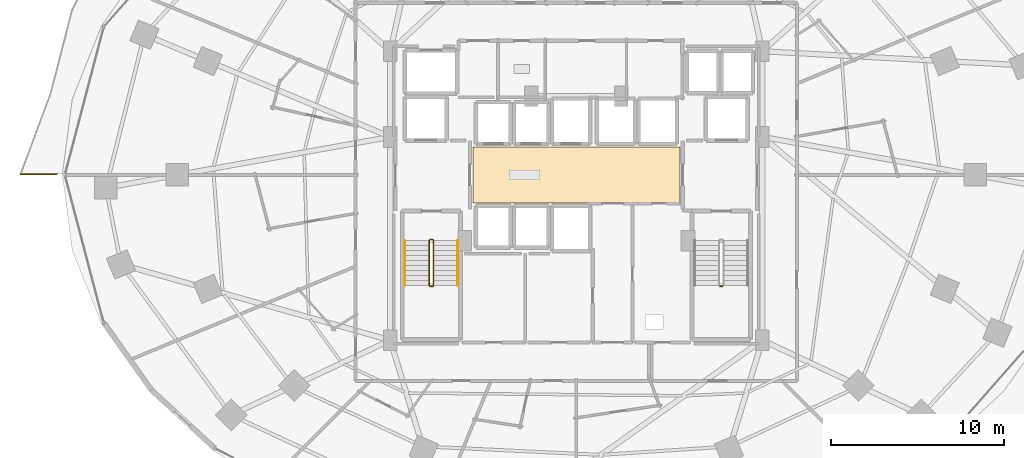
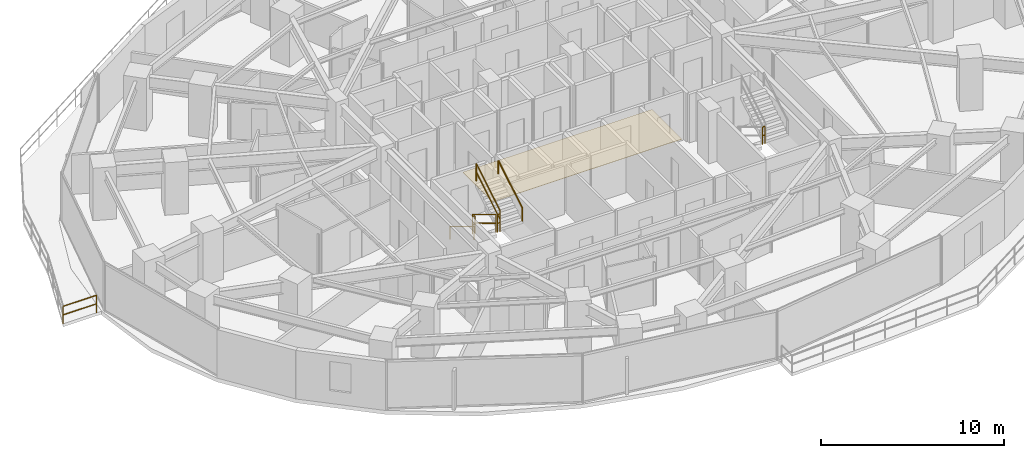
# One storey, part 31 of 34: 8 railings, 1 covering.
"""IFC4 building model written with IfcOpenShell, lengths in metres."""

from ifc_helpers import new_model, si_unit, direction, frame, origin, origin_2d, place, context, subcontext, project, spatial, polyline, rectangle, outline, extrude, material, layer, layer_set, type_object, element, save


model = new_model("IFC4")

# Units and contexts
model_context = context("Model", 3, precision=1e-05, world=origin(), true_north=direction((0.0, 1.0)))
body_context = subcontext(model_context, "Body", "Model", "MODEL_VIEW")
ifc_project = project(units=[si_unit("LENGTHUNIT", "METRE"), si_unit("AREAUNIT", "SQUARE_METRE"), si_unit("VOLUMEUNIT", "CUBIC_METRE"), si_unit("PLANEANGLEUNIT", "RADIAN"), si_unit("MASSUNIT", "GRAM", prefix="KILO")], contexts=[model_context])

# Site, building, storey
site_placement = place(None, origin())
site = spatial("IfcSite", under=ifc_project, at=site_placement, CompositionType="ELEMENT")
building_placement = place(site_placement, origin())
building = spatial("IfcBuilding", under=site, at=building_placement, Name="Vorneva Point Tower", CompositionType="ELEMENT")
storey_placement = place(building_placement, frame((0.0, 0.0, 31.0)))
storey = spatial("IfcBuildingStorey", under=building, at=storey_placement, Name="L07", CompositionType="ELEMENT", Elevation=31.0)

# Covering
ifc_material_1 = material(Name="Acoustic wool hospitality carpet", Category="textile")
ifc_layer = layer(ifc_material_1, 0.01806640625)
ifc_layer_set = layer_set([ifc_layer], Name="Acoustic wool hospitality carpet")
covering_type = type_object("IfcCoveringType", Name="COV-FLR-CRP", PredefinedType="FLOORING", material=ifc_layer_set)
covering_placement = place(storey_placement, frame((0.0, 0.0, -0.0048828125)))
element("IfcCovering", 1, at=covering_placement, inside=storey, type_object=covering_type, Name="L07 Lift Lobby Floor Finish", PredefinedType="FLOORING", context=body_context, shape_type="SweptSolid", body=[
    extrude(outline(polyline([(32.02001953125, 24.3701171875), (43.97998046875, 24.3701171875), (43.97998046875, 27.6298828125), (32.02001953125, 27.6298828125), (32.02001953125, 24.3701171875)])), origin(), (0.0, 0.0, 1.0), 0.02294921875),
])

# Railings
ifc_material_2 = material(Name="Pale anodised aluminium", Category="aluminium")
railing_type_1 = type_object("IfcRailingType", Name="RL-BAL-1200", PredefinedType="BALUSTRADE", material=ifc_material_2)
railing_1_placement = place(storey_placement, frame((5.87353515625, 26.050048828125, 0.0)))
element("IfcRailing", 2, at=railing_1_placement, inside=storey, type_object=railing_type_1, Name="L07 Wave Balcony Balustrade NW.1", PredefinedType="BALUSTRADE", context=body_context, shape_type="SweptSolid", body=[
    extrude(rectangle(XDim=0.048095703125, YDim=0.048095703125, at=origin_2d()), frame((0.0, 0.0, 1.17578125), z_axis=(1.0, 0.0, 0.0), x_axis=(0.0, 1.0, 0.0)), (0.0, 0.0, 1.0), 2.1103515625),
    extrude(rectangle(XDim=0.048095703125, YDim=0.048095703125, at=origin_2d()), frame((0.0, 0.0, 0.60009765625), z_axis=(1.0, 0.0, 0.0), x_axis=(0.0, 1.0, 0.0)), (0.0, 0.0, 1.0), 2.1103515625),
    extrude(rectangle(XDim=0.0419921875, YDim=0.0419921875, at=origin_2d()), origin(), (0.0, 0.0, 1.0), 1.15185546875),
    extrude(rectangle(XDim=0.0419921875, YDim=0.0419921875, at=origin_2d()), frame((2.1103515625, 0.0, 0.0)), (0.0, 0.0, 1.0), 1.15185546875),
])
ifc_material_3 = material(Name="Brushed stainless steel S304", Category="steel")
railing_type_2 = type_object("IfcRailingType", Name="RL-HND-920", PredefinedType="HANDRAIL", material=ifc_material_3)
railing_2_placement = place(storey_placement, frame((28.10009765625, 22.219970703125, 0.175048828125)))
element("IfcRailing", 3, at=railing_2_placement, inside=storey, type_object=railing_type_2, Name="L07 ST1 stair handrail 1", PredefinedType="HANDRAIL", context=body_context, shape_type="SweptSolid", body=[
    extrude(rectangle(XDim=0.048095703125, YDim=0.048095703125, at=origin_2d()), frame((0.0, 0.0, 0.8759765625), z_axis=(0.0, -0.85618277418, 0.516673066065), x_axis=(1.0, 0.0, 0.0)), (0.0, 0.0, 1.0), 3.04833984375),
    extrude(rectangle(XDim=0.0419921875, YDim=0.0419921875, at=origin_2d()), origin(), (0.0, 0.0, 1.0), 0.851806640625),
    extrude(rectangle(XDim=0.0419921875, YDim=0.0419921875, at=origin_2d()), frame((0.0, -2.60986328125, 1.574951171875)), (0.0, 0.0, 1.0), 0.851806640625),
])
railing_3_placement = place(storey_placement, frame((31.14990234375, 19.610107421875, 1.925048828125)))
element("IfcRailing", 4, at=railing_3_placement, inside=storey, type_object=railing_type_2, Name="L07 ST1 stair handrail 2", PredefinedType="HANDRAIL", context=body_context, shape_type="SweptSolid", body=[
    extrude(rectangle(XDim=0.048095703125, YDim=0.048095703125, at=origin_2d()), frame((0.0, 0.0, 0.8759765625), z_axis=(0.0, 0.85618277418, 0.516673066065), x_axis=(-1.0, 0.0, 0.0)), (0.0, 0.0, 1.0), 3.04833984375),
    extrude(rectangle(XDim=0.0419921875, YDim=0.0419921875, at=origin_2d()), origin(), (0.0, 0.0, 1.0), 0.851806640625),
    extrude(rectangle(XDim=0.0419921875, YDim=0.0419921875, at=origin_2d()), frame((0.0, 2.60986328125, 1.574951171875)), (0.0, 0.0, 1.0), 0.851806640625),
])
railing_type_3 = type_object("IfcRailingType", Name="RL-STG-1100", PredefinedType="GUARDRAIL", material=ifc_material_3)
railing_4_placement = place(storey_placement, frame((29.5, 22.219970703125, 0.175048828125)))
element("IfcRailing", 5, at=railing_4_placement, inside=storey, type_object=railing_type_3, Name="L07 ST1 stair guard 1", PredefinedType="GUARDRAIL", context=body_context, shape_type="SweptSolid", body=[
    extrude(rectangle(XDim=0.048095703125, YDim=0.048095703125, at=origin_2d()), frame((0.0, 0.0, 1.17578125), z_axis=(0.0, -0.85618277418, 0.516673066065), x_axis=(1.0, 0.0, 0.0)), (0.0, 0.0, 1.0), 3.04833984375),
    extrude(rectangle(XDim=0.048095703125, YDim=0.048095703125, at=origin_2d()), frame((0.0, 0.0, 0.60009765625), z_axis=(0.0, -0.85618277418, 0.516673066065), x_axis=(1.0, 0.0, 0.0)), (0.0, 0.0, 1.0), 3.04833984375),
    extrude(rectangle(XDim=0.0419921875, YDim=0.0419921875, at=origin_2d()), origin(), (0.0, 0.0, 1.0), 1.15185546875),
    extrude(rectangle(XDim=0.0419921875, YDim=0.0419921875, at=origin_2d()), frame((0.0, -2.60986328125, 1.574951171875)), (0.0, 0.0, 1.0), 1.15185546875),
])
railing_5_placement = place(storey_placement, frame((29.550048828125, 19.56005859375, 1.75)))
element("IfcRailing", 6, at=railing_5_placement, inside=storey, type_object=railing_type_3, Name="L07 ST1 stair guard 2", PredefinedType="GUARDRAIL", context=body_context, shape_type="SweptSolid", body=[
    extrude(rectangle(XDim=0.048095703125, YDim=0.048095703125, at=origin_2d()), frame((0.0, 0.0, 1.17578125), z_axis=(1.0, 0.0, 0.0), x_axis=(0.0, 1.0, 0.0)), (0.0, 0.0, 1.0), 0.14990234375),
    extrude(rectangle(XDim=0.048095703125, YDim=0.048095703125, at=origin_2d()), frame((0.0, 0.0, 0.60009765625), z_axis=(1.0, 0.0, 0.0), x_axis=(0.0, 1.0, 0.0)), (0.0, 0.0, 1.0), 0.14990234375),
    extrude(rectangle(XDim=0.0419921875, YDim=0.0419921875, at=origin_2d()), origin(), (0.0, 0.0, 1.0), 1.15185546875),
    extrude(rectangle(XDim=0.0419921875, YDim=0.0419921875, at=origin_2d()), frame((0.14990234375, 0.0, 0.0)), (0.0, 0.0, 1.0), 1.15185546875),
])
railing_6_placement = place(storey_placement, frame((29.75, 19.610107421875, 1.925048828125)))
element("IfcRailing", 7, at=railing_6_placement, inside=storey, type_object=railing_type_3, Name="L07 ST1 stair guard 3", PredefinedType="GUARDRAIL", context=body_context, shape_type="SweptSolid", body=[
    extrude(rectangle(XDim=0.048095703125, YDim=0.048095703125, at=origin_2d()), frame((0.0, 0.0, 1.17578125), z_axis=(0.0, 0.85618277418, 0.516673066065), x_axis=(-1.0, 0.0, 0.0)), (0.0, 0.0, 1.0), 3.04833984375),
    extrude(rectangle(XDim=0.048095703125, YDim=0.048095703125, at=origin_2d()), frame((0.0, 0.0, 0.60009765625), z_axis=(0.0, 0.85618277418, 0.516673066065), x_axis=(-1.0, 0.0, 0.0)), (0.0, 0.0, 1.0), 3.04833984375),
    extrude(rectangle(XDim=0.0419921875, YDim=0.0419921875, at=origin_2d()), origin(), (0.0, 0.0, 1.0), 1.15185546875),
    extrude(rectangle(XDim=0.0419921875, YDim=0.0419921875, at=origin_2d()), frame((0.0, 2.60986328125, 1.574951171875)), (0.0, 0.0, 1.0), 1.15185546875),
])
for number, where, name in (
    (8, (29.550048828125, 22.27001953125, 0.0), "L07 ST1 stair guard 4"),
    (9, (46.300048828125, 19.56005859375, 1.75), "L07 ST2 stair guard 2"),
):
    element("IfcRailing", number, at=place(storey_placement, frame(where)), inside=storey, type_object=railing_type_3, Name=name, PredefinedType="GUARDRAIL", context=body_context, shape_type="SweptSolid", body=[
        extrude(rectangle(XDim=0.048095703125, YDim=0.048095703125, at=origin_2d()), frame((0.0, 0.0, 1.17578125), z_axis=(1.0, 0.0, 0.0), x_axis=(0.0, 1.0, 0.0)), (0.0, 0.0, 1.0), 0.14990234375),
        extrude(rectangle(XDim=0.048095703125, YDim=0.048095703125, at=origin_2d()), frame((0.0, 0.0, 0.60009765625), z_axis=(1.0, 0.0, 0.0), x_axis=(0.0, 1.0, 0.0)), (0.0, 0.0, 1.0), 0.14990234375),
        extrude(rectangle(XDim=0.0419921875, YDim=0.0419921875, at=origin_2d()), origin(), (0.0, 0.0, 1.0), 1.15185546875),
        extrude(rectangle(XDim=0.0419921875, YDim=0.0419921875, at=origin_2d()), frame((0.14990234375, 0.0, 0.0)), (0.0, 0.0, 1.0), 1.15185546875),
    ])

save(model, "model.ifc")
